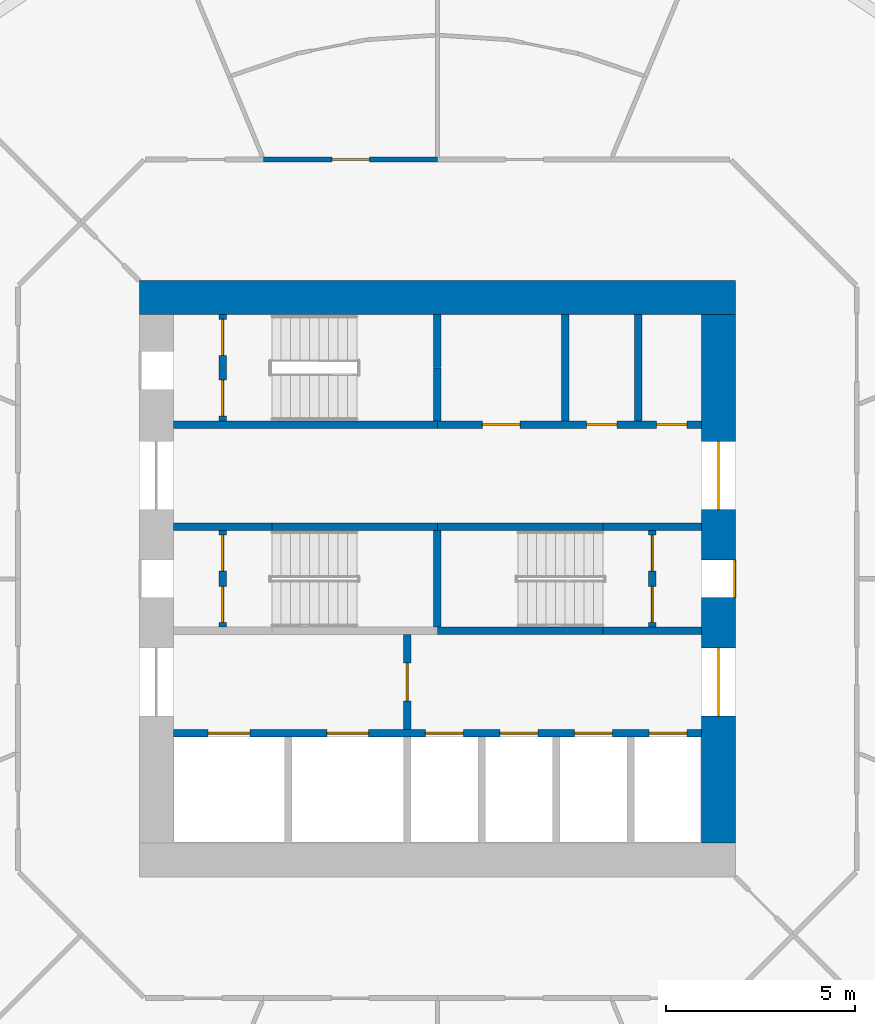
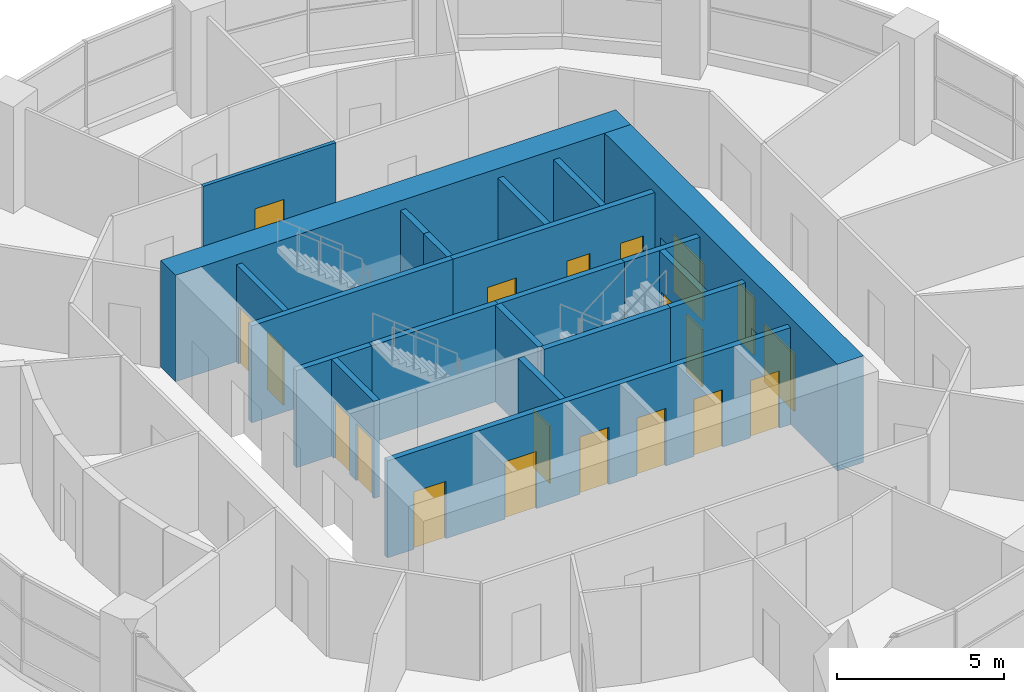
# One storey, part 9 of 15: 21 walls, 20 doors, 20 openings.
"""IFC4 building model written with IfcOpenShell, lengths in metres."""

from ifc_helpers import new_model, si_unit, direction, frame, frame_2d, origin, place, context, subcontext, project, spatial, rectangle, extrude, material, layer, layer_set, type_object, element, fill, save


model = new_model("IFC4")

# Units and contexts
model_context = context("Model", 3, precision=1e-05, world=origin(), true_north=direction((0.0, 1.0)))
body_context = subcontext(model_context, "Body", "Model", "MODEL_VIEW")
ifc_project = project(units=[si_unit("LENGTHUNIT", "METRE"), si_unit("AREAUNIT", "SQUARE_METRE"), si_unit("VOLUMEUNIT", "CUBIC_METRE"), si_unit("PLANEANGLEUNIT", "RADIAN"), si_unit("MASSUNIT", "GRAM", prefix="KILO")], contexts=[model_context])

# Site, building, storey
site_placement = place(None, origin())
site = spatial("IfcSite", under=ifc_project, at=site_placement, CompositionType="ELEMENT")
building_placement = place(site_placement, origin())
building = spatial("IfcBuilding", under=site, at=building_placement, Name="Polderwave Tower", CompositionType="ELEMENT")
storey_placement = place(building_placement, frame((0.0, 0.0, 18.5)))
storey = spatial("IfcBuildingStorey", under=building, at=storey_placement, Name="L04", CompositionType="ELEMENT", Elevation=18.5)

# Wall
ifc_material_1 = material(Name="Concrete C80/95", Category="concrete")
ifc_layer_1 = layer(ifc_material_1, 0.89990234375)
ifc_layer_set_1 = layer_set([ifc_layer_1], Name="CORE WALL 900 C80/95")
wall_type_1 = type_object("IfcWallType", Name="CORE WALL 900 C80/95", PredefinedType="SHEAR", material=ifc_layer_set_1)
wall_1_placement = place(storey_placement, frame((-7.8740234375, 7.424072265625, 0.0), z_axis=(0.0, 0.0, 1.0), x_axis=(1.0, 0.0, 0.0)))
element("IfcWall", 1, at=wall_1_placement, inside=storey, type_object=wall_type_1, Name="ST-CORE-L04-N", PredefinedType="SHEAR", context=body_context, shape_type="SweptSolid", body=[
    extrude(rectangle(XDim=15.748046875, YDim=0.89990234375, at=frame_2d((7.8740234375, 0.0))), origin(), (0.0, 0.0, 1.0), 3.89990234375),
])

# Wall, openings, doors
wall_2_placement = place(storey_placement, frame((7.424072265625, -6.97412109375, 0.0), z_axis=(0.0, 0.0, 1.0), x_axis=(0.0, 1.0, 0.0)))
wall_2 = element("IfcWall", 2, at=wall_2_placement, inside=storey, type_object=wall_type_1, Name="ST-CORE-L04-E", PredefinedType="SHEAR", context=body_context, shape_type="SweptSolid", body=[
    extrude(rectangle(XDim=13.9482421875, YDim=0.89990234375, at=frame_2d((6.97412109375, 0.0))), origin(), (0.0, 0.0, 1.0), 3.89990234375),
])
opening_1_placement = place(wall_2_placement, frame((6.47412109375, 0.0, 0.0)))
opening_1 = element("IfcOpeningElement", 3, at=opening_1_placement, cuts=wall_2, Name="Opening L04-D21", PredefinedType="OPENING", context=body_context, shape_type="SweptSolid", body=[
    extrude(rectangle(XDim=1.0, YDim=2.10009765625, at=frame_2d((0.5, 1.050048828125))), frame((0.0, 0.4599609375, 0.0), z_axis=(0.0, -1.0, 0.0), x_axis=(1.0, 0.0, 0.0)), (0.0, 0.0, 1.0), 0.919921875),
])
opening_2_placement = place(wall_2_placement, frame((3.349609375, 0.0, 0.0)))
opening_2 = element("IfcOpeningElement", 4, at=opening_2_placement, cuts=wall_2, Name="Opening L04-D22", PredefinedType="OPENING", context=body_context, shape_type="SweptSolid", body=[
    extrude(rectangle(XDim=1.800048828125, YDim=2.10009765625, at=frame_2d((0.89990234375, 1.050048828125))), frame((0.0, 0.4599609375, 0.0), z_axis=(0.0, -1.0, 0.0), x_axis=(1.0, 0.0, 0.0)), (0.0, 0.0, 1.0), 0.919921875),
])
opening_3_placement = place(wall_2_placement, frame((8.798583984375, 0.0, 0.0)))
opening_3 = element("IfcOpeningElement", 5, at=opening_3_placement, cuts=wall_2, Name="Opening L04-D23", PredefinedType="OPENING", context=body_context, shape_type="SweptSolid", body=[
    extrude(rectangle(XDim=1.800048828125, YDim=2.10009765625, at=frame_2d((0.89990234375, 1.050048828125))), frame((0.0, 0.4599609375, 0.0), z_axis=(0.0, -1.0, 0.0), x_axis=(1.0, 0.0, 0.0)), (0.0, 0.0, 1.0), 0.919921875),
])
ifc_material_2 = material(Name="Steel fire door", Category="steel")
door_type_1 = type_object("IfcDoorType", Name="Lobby entry door pair 1800", OperationType="DOUBLE_DOOR_SINGLE_SWING", PredefinedType="DOOR", material=ifc_material_2)
door_1_placement = place(opening_2_placement, frame((1.800048828125, 0.0, 0.0), z_axis=(0.0, 0.0, 1.0), x_axis=(-1.0, 0.0, 0.0)))
door_1 = element("IfcDoor", 6, at=door_1_placement, inside=storey, type_object=door_type_1, Name="South lobby entry door", OperationType="DOUBLE_DOOR_SINGLE_SWING", OverallHeight=2.10009765625, OverallWidth=1.800048828125, PredefinedType="DOOR", context=body_context, shape_type="SweptSolid", body=[
    extrude(rectangle(XDim=1.800048828125, YDim=2.10009765625, at=frame_2d((0.89990234375, 1.050048828125))), frame((0.0, 0.02490234375, 0.0), z_axis=(0.0, -1.0, 0.0), x_axis=(1.0, 0.0, 0.0)), (0.0, 0.0, 1.0), 0.050048828125),
])
fill(opening_2, door_1)
door_2_placement = place(opening_3_placement, frame((1.800048828125, 0.0, 0.0), z_axis=(0.0, 0.0, 1.0), x_axis=(-1.0, 0.0, 0.0)))
door_2 = element("IfcDoor", 7, at=door_2_placement, inside=storey, type_object=door_type_1, Name="North lobby entry door", OperationType="DOUBLE_DOOR_SINGLE_SWING", OverallHeight=2.10009765625, OverallWidth=1.800048828125, PredefinedType="DOOR", context=body_context, shape_type="SweptSolid", body=[
    extrude(rectangle(XDim=1.800048828125, YDim=2.10009765625, at=frame_2d((0.89990234375, 1.050048828125))), frame((0.0, 0.02490234375, 0.0), z_axis=(0.0, -1.0, 0.0), x_axis=(1.0, 0.0, 0.0)), (0.0, 0.0, 1.0), 0.050048828125),
])
fill(opening_3, door_2)
door_type_2 = type_object("IfcDoorType", Name="Stair door 1000", OperationType="NOTDEFINED", PredefinedType="DOOR", material=ifc_material_2)
door_3_placement = place(opening_1_placement, frame((1.0, 0.0, 0.0), z_axis=(0.0, 0.0, 1.0), x_axis=(-1.0, 0.0, 0.0)))
door_3 = element("IfcDoor", 8, at=door_3_placement, inside=storey, type_object=door_type_2, Name="Stair B entry door", OperationType="SINGLE_SWING_LEFT", OverallHeight=2.10009765625, OverallWidth=1.0, PredefinedType="DOOR", context=body_context, shape_type="SweptSolid", body=[
    extrude(rectangle(XDim=1.0, YDim=2.10009765625, at=frame_2d((0.5, 1.050048828125))), frame((0.0, 0.4501953125, 0.0), z_axis=(0.0, -1.0, 0.0), x_axis=(1.0, 0.0, 0.0)), (0.0, 0.0, 1.0), 0.050048828125),
])
fill(opening_1, door_3)

# Wall, opening, door
ifc_material_3 = material(Name="Gypsum board partition")
ifc_layer_2 = layer(ifc_material_3, 0.199951171875)
ifc_layer_set_2 = layer_set([ifc_layer_2], Name="Core room partition 200")
wall_type_2 = type_object("IfcWallType", Name="Core room partition 200", PredefinedType="PARTITIONING", material=ifc_layer_set_2)
wall_3_placement = place(storey_placement, frame((-0.800048828125, -3.97412109375, 0.0), z_axis=(0.0, 0.0, 1.0), x_axis=(0.0, 1.0, 0.0)))
wall_3 = element("IfcWall", 9, at=wall_3_placement, inside=storey, type_object=wall_type_2, Name="L04 fire-fighting lobby wall", PredefinedType="PARTITIONING", context=body_context, shape_type="SweptSolid", body=[
    extrude(rectangle(XDim=2.4990234375, YDim=0.199951171875, at=frame_2d((1.24951171875, 0.0))), origin(), (0.0, 0.0, 1.0), 3.550048828125),
])
opening_4_placement = place(wall_3_placement, frame((0.74951171875, 0.0, 0.0)))
opening_4 = element("IfcOpeningElement", 10, at=opening_4_placement, cuts=wall_3, Name="Opening L04-D13", PredefinedType="OPENING", context=body_context, shape_type="SweptSolid", body=[
    extrude(rectangle(XDim=1.0, YDim=2.10009765625, at=frame_2d((0.5, 1.050048828125))), frame((0.0, 0.10986328125, 0.0), z_axis=(0.0, -1.0, 0.0), x_axis=(1.0, 0.0, 0.0)), (0.0, 0.0, 1.0), 0.219970703125),
])
door_type_3 = type_object("IfcDoorType", Name="Lobby fire door 1000", OperationType="NOTDEFINED", PredefinedType="DOOR", material=ifc_material_2)
door_4_placement = place(opening_4_placement, frame((1.0, 0.0, 0.0), z_axis=(0.0, 0.0, 1.0), x_axis=(-1.0, 0.0, 0.0)))
door_4 = element("IfcDoor", 11, at=door_4_placement, inside=storey, type_object=door_type_3, Name="Fire-fighting lobby door", OperationType="SINGLE_SWING_LEFT", OverallHeight=2.10009765625, OverallWidth=1.0, PredefinedType="DOOR", context=body_context, shape_type="SweptSolid", body=[
    extrude(rectangle(XDim=1.0, YDim=2.10009765625, at=frame_2d((0.5, 1.050048828125))), frame((0.0, 0.02490234375, 0.0), z_axis=(0.0, -1.0, 0.0), x_axis=(1.0, 0.0, 0.0)), (0.0, 0.0, 1.0), 0.050048828125),
])
fill(opening_4, door_4)

# Wall
wall_4_placement = place(storey_placement, frame((3.3740234375, 4.174072265625, 0.0), z_axis=(0.0, 0.0, 1.0), x_axis=(0.0, 1.0, 0.0)))
element("IfcWall", 12, at=wall_4_placement, inside=storey, type_object=wall_type_2, Name="L04 room partition N1", PredefinedType="PARTITIONING", context=body_context, shape_type="SweptSolid", body=[
    extrude(rectangle(XDim=2.800048828125, YDim=0.199951171875, at=frame_2d((1.39990234375, 0.0))), origin(), (0.0, 0.0, 1.0), 3.550048828125),
])

# Wall, openings, doors
wall_5_placement = place(storey_placement, frame((-5.674072265625, -1.27490234375, 0.0), z_axis=(0.0, 0.0, 1.0), x_axis=(0.0, 1.0, 0.0)))
wall_5 = element("IfcWall", 13, at=wall_5_placement, inside=storey, type_object=wall_type_2, Name="L04 smoke lobby wall A", PredefinedType="PARTITIONING", context=body_context, shape_type="SweptSolid", body=[
    extrude(rectangle(XDim=2.5498046875, YDim=0.199951171875, at=frame_2d((1.27490234375, 0.0))), origin(), (0.0, 0.0, 1.0), 3.550048828125),
])
opening_5_placement = place(wall_5_placement, frame((0.125, 0.0, 0.0)))
opening_5 = element("IfcOpeningElement", 14, at=opening_5_placement, cuts=wall_5, Name="Opening L04-D07", PredefinedType="OPENING", context=body_context, shape_type="SweptSolid", body=[
    extrude(rectangle(XDim=0.949951171875, YDim=2.10009765625, at=frame_2d((0.47509765625, 1.050048828125))), frame((0.0, 0.10986328125, 0.0), z_axis=(0.0, -1.0, 0.0), x_axis=(1.0, 0.0, 0.0)), (0.0, 0.0, 1.0), 0.219970703125),
])
opening_6_placement = place(wall_5_placement, frame((1.47509765625, 0.0, 0.0)))
opening_6 = element("IfcOpeningElement", 15, at=opening_6_placement, cuts=wall_5, Name="Opening L04-D08", PredefinedType="OPENING", context=body_context, shape_type="SweptSolid", body=[
    extrude(rectangle(XDim=0.949951171875, YDim=2.10009765625, at=frame_2d((0.47509765625, 1.050048828125))), frame((0.0, 0.10986328125, 0.0), z_axis=(0.0, -1.0, 0.0), x_axis=(1.0, 0.0, 0.0)), (0.0, 0.0, 1.0), 0.219970703125),
])
door_type_4 = type_object("IfcDoorType", Name="Smoke lobby door 950", OperationType="NOTDEFINED", PredefinedType="DOOR", material=ifc_material_2)
door_5_placement = place(opening_5_placement, origin())
door_5 = element("IfcDoor", 16, at=door_5_placement, inside=storey, type_object=door_type_4, Name="Stair A smoke lobby inner door", OperationType="SINGLE_SWING_LEFT", OverallHeight=2.10009765625, OverallWidth=0.949951171875, PredefinedType="DOOR", context=body_context, shape_type="SweptSolid", body=[
    extrude(rectangle(XDim=0.949951171875, YDim=2.10009765625, at=frame_2d((0.47509765625, 1.050048828125))), frame((0.0, 0.02490234375, 0.0), z_axis=(0.0, -1.0, 0.0), x_axis=(1.0, 0.0, 0.0)), (0.0, 0.0, 1.0), 0.050048828125),
])
fill(opening_5, door_5)
door_6_placement = place(opening_6_placement, origin())
door_6 = element("IfcDoor", 17, at=door_6_placement, inside=storey, type_object=door_type_4, Name="Stair A smoke lobby inner door", OperationType="SINGLE_SWING_RIGHT", OverallHeight=2.10009765625, OverallWidth=0.949951171875, PredefinedType="DOOR", context=body_context, shape_type="SweptSolid", body=[
    extrude(rectangle(XDim=0.949951171875, YDim=2.10009765625, at=frame_2d((0.47509765625, 1.050048828125))), frame((0.0, 0.02490234375, 0.0), z_axis=(0.0, -1.0, 0.0), x_axis=(1.0, 0.0, 0.0)), (0.0, 0.0, 1.0), 0.050048828125),
])
fill(opening_6, door_6)

wall_6_placement = place(storey_placement, frame((5.674072265625, -1.27490234375, 0.0), z_axis=(0.0, 0.0, 1.0), x_axis=(0.0, 1.0, 0.0)))
wall_6 = element("IfcWall", 18, at=wall_6_placement, inside=storey, type_object=wall_type_2, Name="L04 smoke lobby wall B", PredefinedType="PARTITIONING", context=body_context, shape_type="SweptSolid", body=[
    extrude(rectangle(XDim=2.5498046875, YDim=0.199951171875, at=frame_2d((1.27490234375, 0.0))), origin(), (0.0, 0.0, 1.0), 3.550048828125),
])
opening_7_placement = place(wall_6_placement, frame((0.125, 0.0, 0.0)))
opening_7 = element("IfcOpeningElement", 19, at=opening_7_placement, cuts=wall_6, Name="Opening L04-D09", PredefinedType="OPENING", context=body_context, shape_type="SweptSolid", body=[
    extrude(rectangle(XDim=0.949951171875, YDim=2.10009765625, at=frame_2d((0.47509765625, 1.050048828125))), frame((0.0, 0.10986328125, 0.0), z_axis=(0.0, -1.0, 0.0), x_axis=(1.0, 0.0, 0.0)), (0.0, 0.0, 1.0), 0.219970703125),
])
opening_8_placement = place(wall_6_placement, frame((1.47509765625, 0.0, 0.0)))
opening_8 = element("IfcOpeningElement", 20, at=opening_8_placement, cuts=wall_6, Name="Opening L04-D10", PredefinedType="OPENING", context=body_context, shape_type="SweptSolid", body=[
    extrude(rectangle(XDim=0.949951171875, YDim=2.10009765625, at=frame_2d((0.47509765625, 1.050048828125))), frame((0.0, 0.10986328125, 0.0), z_axis=(0.0, -1.0, 0.0), x_axis=(1.0, 0.0, 0.0)), (0.0, 0.0, 1.0), 0.219970703125),
])
door_7_placement = place(opening_7_placement, frame((0.949951171875, 0.0, 0.0), z_axis=(0.0, 0.0, 1.0), x_axis=(-1.0, 0.0, 0.0)))
door_7 = element("IfcDoor", 21, at=door_7_placement, inside=storey, type_object=door_type_4, Name="Stair B smoke lobby inner door", OperationType="SINGLE_SWING_RIGHT", OverallHeight=2.10009765625, OverallWidth=0.949951171875, PredefinedType="DOOR", context=body_context, shape_type="SweptSolid", body=[
    extrude(rectangle(XDim=0.949951171875, YDim=2.10009765625, at=frame_2d((0.47509765625, 1.050048828125))), frame((0.0, 0.02490234375, 0.0), z_axis=(0.0, -1.0, 0.0), x_axis=(1.0, 0.0, 0.0)), (0.0, 0.0, 1.0), 0.050048828125),
])
fill(opening_7, door_7)
door_8_placement = place(opening_8_placement, frame((0.949951171875, 0.0, 0.0), z_axis=(0.0, 0.0, 1.0), x_axis=(-1.0, 0.0, 0.0)))
door_8 = element("IfcDoor", 22, at=door_8_placement, inside=storey, type_object=door_type_4, Name="Stair B smoke lobby inner door", OperationType="SINGLE_SWING_LEFT", OverallHeight=2.10009765625, OverallWidth=0.949951171875, PredefinedType="DOOR", context=body_context, shape_type="SweptSolid", body=[
    extrude(rectangle(XDim=0.949951171875, YDim=2.10009765625, at=frame_2d((0.47509765625, 1.050048828125))), frame((0.0, 0.02490234375, 0.0), z_axis=(0.0, -1.0, 0.0), x_axis=(1.0, 0.0, 0.0)), (0.0, 0.0, 1.0), 0.050048828125),
])
fill(opening_8, door_8)

wall_7_placement = place(storey_placement, frame((-5.674072265625, 4.174072265625, 0.0), z_axis=(0.0, 0.0, 1.0), x_axis=(0.0, 1.0, 0.0)))
wall_7 = element("IfcWall", 23, at=wall_7_placement, inside=storey, type_object=wall_type_2, Name="L04 smoke lobby wall C", PredefinedType="PARTITIONING", context=body_context, shape_type="SweptSolid", body=[
    extrude(rectangle(XDim=2.800048828125, YDim=0.199951171875, at=frame_2d((1.39990234375, 0.0))), origin(), (0.0, 0.0, 1.0), 3.550048828125),
])
opening_9_placement = place(wall_7_placement, frame((0.125, 0.0, 0.0)))
opening_9 = element("IfcOpeningElement", 24, at=opening_9_placement, cuts=wall_7, Name="Opening L04-D11", PredefinedType="OPENING", context=body_context, shape_type="SweptSolid", body=[
    extrude(rectangle(XDim=0.949951171875, YDim=2.10009765625, at=frame_2d((0.47509765625, 1.050048828125))), frame((0.0, 0.10986328125, 0.0), z_axis=(0.0, -1.0, 0.0), x_axis=(1.0, 0.0, 0.0)), (0.0, 0.0, 1.0), 0.219970703125),
])
opening_10_placement = place(wall_7_placement, frame((1.72509765625, 0.0, 0.0)))
opening_10 = element("IfcOpeningElement", 25, at=opening_10_placement, cuts=wall_7, Name="Opening L04-D12", PredefinedType="OPENING", context=body_context, shape_type="SweptSolid", body=[
    extrude(rectangle(XDim=0.949951171875, YDim=2.10009765625, at=frame_2d((0.47509765625, 1.050048828125))), frame((0.0, 0.10986328125, 0.0), z_axis=(0.0, -1.0, 0.0), x_axis=(1.0, 0.0, 0.0)), (0.0, 0.0, 1.0), 0.219970703125),
])
door_9_placement = place(opening_9_placement, origin())
door_9 = element("IfcDoor", 26, at=door_9_placement, inside=storey, type_object=door_type_4, Name="Stair C smoke lobby inner door", OperationType="SINGLE_SWING_LEFT", OverallHeight=2.10009765625, OverallWidth=0.949951171875, PredefinedType="DOOR", context=body_context, shape_type="SweptSolid", body=[
    extrude(rectangle(XDim=0.949951171875, YDim=2.10009765625, at=frame_2d((0.47509765625, 1.050048828125))), frame((0.0, 0.02490234375, 0.0), z_axis=(0.0, -1.0, 0.0), x_axis=(1.0, 0.0, 0.0)), (0.0, 0.0, 1.0), 0.050048828125),
])
fill(opening_9, door_9)
door_10_placement = place(opening_10_placement, origin())
door_10 = element("IfcDoor", 27, at=door_10_placement, inside=storey, type_object=door_type_4, Name="Stair C smoke lobby inner door", OperationType="SINGLE_SWING_RIGHT", OverallHeight=2.10009765625, OverallWidth=0.949951171875, PredefinedType="DOOR", context=body_context, shape_type="SweptSolid", body=[
    extrude(rectangle(XDim=0.949951171875, YDim=2.10009765625, at=frame_2d((0.47509765625, 1.050048828125))), frame((0.0, 0.02490234375, 0.0), z_axis=(0.0, -1.0, 0.0), x_axis=(1.0, 0.0, 0.0)), (0.0, 0.0, 1.0), 0.050048828125),
])
fill(opening_10, door_10)

ifc_material_4 = material(Name="Concrete C50/60", Category="concrete")
ifc_layer_3 = layer(ifc_material_4, 0.199951171875)
ifc_layer_set_3 = layer_set([ifc_layer_3], Name="Core web wall 200")
wall_type_3 = type_object("IfcWallType", Name="Core web wall 200", PredefinedType="SHEAR", material=ifc_layer_set_3)
wall_8_placement = place(storey_placement, frame((-6.97412109375, -4.073974609375, 0.0), z_axis=(0.0, 0.0, 1.0), x_axis=(1.0, 0.0, 0.0)))
wall_8 = element("IfcWall", 28, at=wall_8_placement, inside=storey, type_object=wall_type_3, Name="L04 south front wall", PredefinedType="SHEAR", context=body_context, shape_type="SweptSolid", body=[
    extrude(rectangle(XDim=13.9482421875, YDim=0.199951171875, at=frame_2d((6.97412109375, 0.0))), origin(), (0.0, 0.0, 1.0), 3.550048828125),
])
opening_11_placement = place(wall_8_placement, frame((0.91845703125, 0.0, 0.0)))
opening_11 = element("IfcOpeningElement", 29, at=opening_11_placement, cuts=wall_8, Name="Opening L04-D01", PredefinedType="OPENING", context=body_context, shape_type="SweptSolid", body=[
    extrude(rectangle(XDim=1.10009765625, YDim=2.10009765625, at=frame_2d((0.550048828125, 1.050048828125))), frame((0.0, 0.10986328125, 0.0), z_axis=(0.0, -1.0, 0.0), x_axis=(1.0, 0.0, 0.0)), (0.0, 0.0, 1.0), 0.219970703125),
])
opening_12_placement = place(wall_8_placement, frame((4.055419921875, 0.0, 0.0)))
opening_12 = element("IfcOpeningElement", 30, at=opening_12_placement, cuts=wall_8, Name="Opening L04-D02", PredefinedType="OPENING", context=body_context, shape_type="SweptSolid", body=[
    extrude(rectangle(XDim=1.10009765625, YDim=2.10009765625, at=frame_2d((0.550048828125, 1.050048828125))), frame((0.0, 0.10986328125, 0.0), z_axis=(0.0, -1.0, 0.0), x_axis=(1.0, 0.0, 0.0)), (0.0, 0.0, 1.0), 0.219970703125),
])
opening_13_placement = place(wall_8_placement, frame((6.658203125, 0.0, 0.0)))
opening_13 = element("IfcOpeningElement", 31, at=opening_13_placement, cuts=wall_8, Name="Opening L04-D03", PredefinedType="OPENING", context=body_context, shape_type="SweptSolid", body=[
    extrude(rectangle(XDim=1.0, YDim=2.10009765625, at=frame_2d((0.5, 1.050048828125))), frame((0.0, 0.10986328125, 0.0), z_axis=(0.0, -1.0, 0.0), x_axis=(1.0, 0.0, 0.0)), (0.0, 0.0, 1.0), 0.219970703125),
])
opening_14_placement = place(wall_8_placement, frame((8.626708984375, 0.0, 0.0)))
opening_14 = element("IfcOpeningElement", 32, at=opening_14_placement, cuts=wall_8, Name="Opening L04-D04", PredefinedType="OPENING", context=body_context, shape_type="SweptSolid", body=[
    extrude(rectangle(XDim=1.0, YDim=2.10009765625, at=frame_2d((0.5, 1.050048828125))), frame((0.0, 0.10986328125, 0.0), z_axis=(0.0, -1.0, 0.0), x_axis=(1.0, 0.0, 0.0)), (0.0, 0.0, 1.0), 0.219970703125),
])
opening_15_placement = place(wall_8_placement, frame((10.59521484375, 0.0, 0.0)))
opening_15 = element("IfcOpeningElement", 33, at=opening_15_placement, cuts=wall_8, Name="Opening L04-D05", PredefinedType="OPENING", context=body_context, shape_type="SweptSolid", body=[
    extrude(rectangle(XDim=1.0, YDim=2.10009765625, at=frame_2d((0.5, 1.050048828125))), frame((0.0, 0.10986328125, 0.0), z_axis=(0.0, -1.0, 0.0), x_axis=(1.0, 0.0, 0.0)), (0.0, 0.0, 1.0), 0.219970703125),
])
opening_16_placement = place(wall_8_placement, frame((12.563720703125, 0.0, 0.0)))
opening_16 = element("IfcOpeningElement", 34, at=opening_16_placement, cuts=wall_8, Name="Opening L04-D06", PredefinedType="OPENING", context=body_context, shape_type="SweptSolid", body=[
    extrude(rectangle(XDim=1.0, YDim=2.10009765625, at=frame_2d((0.5, 1.050048828125))), frame((0.0, 0.10986328125, 0.0), z_axis=(0.0, -1.0, 0.0), x_axis=(1.0, 0.0, 0.0)), (0.0, 0.0, 1.0), 0.219970703125),
])
ifc_material_5 = material(Name="Stainless steel", Category="steel")
door_type_5 = type_object("IfcDoorType", Name="Fire-fighting lift landing door 1100", OperationType="DOUBLE_DOOR_SLIDING", PredefinedType="DOOR", material=ifc_material_5)
door_11_placement = place(opening_11_placement, origin())
door_11 = element("IfcDoor", 35, at=door_11_placement, inside=storey, type_object=door_type_5, Name="Fire-fighting lift FF1 landing door", OperationType="DOUBLE_DOOR_SLIDING", OverallHeight=2.10009765625, OverallWidth=1.10009765625, PredefinedType="DOOR", context=body_context, shape_type="SweptSolid", body=[
    extrude(rectangle(XDim=1.10009765625, YDim=2.10009765625, at=frame_2d((0.550048828125, 1.050048828125))), frame((0.0, 0.02490234375, 0.0), z_axis=(0.0, -1.0, 0.0), x_axis=(1.0, 0.0, 0.0)), (0.0, 0.0, 1.0), 0.050048828125),
])
fill(opening_11, door_11)
door_12_placement = place(opening_12_placement, origin())
door_12 = element("IfcDoor", 36, at=door_12_placement, inside=storey, type_object=door_type_5, Name="Fire-fighting lift FF2 landing door", OperationType="DOUBLE_DOOR_SLIDING", OverallHeight=2.10009765625, OverallWidth=1.10009765625, PredefinedType="DOOR", context=body_context, shape_type="SweptSolid", body=[
    extrude(rectangle(XDim=1.10009765625, YDim=2.10009765625, at=frame_2d((0.550048828125, 1.050048828125))), frame((0.0, 0.02490234375, 0.0), z_axis=(0.0, -1.0, 0.0), x_axis=(1.0, 0.0, 0.0)), (0.0, 0.0, 1.0), 0.050048828125),
])
fill(opening_12, door_12)
door_type_6 = type_object("IfcDoorType", Name="Lift landing door 1000", OperationType="DOUBLE_DOOR_SLIDING", PredefinedType="DOOR", material=ifc_material_5)
door_13_placement = place(opening_13_placement, origin())
door_13 = element("IfcDoor", 37, at=door_13_placement, inside=storey, type_object=door_type_6, Name="Lift LL1 landing door", OperationType="DOUBLE_DOOR_SLIDING", OverallHeight=2.10009765625, OverallWidth=1.0, PredefinedType="DOOR", context=body_context, shape_type="SweptSolid", body=[
    extrude(rectangle(XDim=1.0, YDim=2.10009765625, at=frame_2d((0.5, 1.050048828125))), frame((0.0, 0.02490234375, 0.0), z_axis=(0.0, -1.0, 0.0), x_axis=(1.0, 0.0, 0.0)), (0.0, 0.0, 1.0), 0.050048828125),
])
fill(opening_13, door_13)
door_14_placement = place(opening_14_placement, origin())
door_14 = element("IfcDoor", 38, at=door_14_placement, inside=storey, type_object=door_type_6, Name="Lift LL2 landing door", OperationType="DOUBLE_DOOR_SLIDING", OverallHeight=2.10009765625, OverallWidth=1.0, PredefinedType="DOOR", context=body_context, shape_type="SweptSolid", body=[
    extrude(rectangle(XDim=1.0, YDim=2.10009765625, at=frame_2d((0.5, 1.050048828125))), frame((0.0, 0.02490234375, 0.0), z_axis=(0.0, -1.0, 0.0), x_axis=(1.0, 0.0, 0.0)), (0.0, 0.0, 1.0), 0.050048828125),
])
fill(opening_14, door_14)
door_15_placement = place(opening_15_placement, origin())
door_15 = element("IfcDoor", 39, at=door_15_placement, inside=storey, type_object=door_type_6, Name="Lift LL3 landing door", OperationType="DOUBLE_DOOR_SLIDING", OverallHeight=2.10009765625, OverallWidth=1.0, PredefinedType="DOOR", context=body_context, shape_type="SweptSolid", body=[
    extrude(rectangle(XDim=1.0, YDim=2.10009765625, at=frame_2d((0.5, 1.050048828125))), frame((0.0, 0.02490234375, 0.0), z_axis=(0.0, -1.0, 0.0), x_axis=(1.0, 0.0, 0.0)), (0.0, 0.0, 1.0), 0.050048828125),
])
fill(opening_15, door_15)
door_16_placement = place(opening_16_placement, origin())
door_16 = element("IfcDoor", 40, at=door_16_placement, inside=storey, type_object=door_type_6, Name="Lift LL4 landing door", OperationType="DOUBLE_DOOR_SLIDING", OverallHeight=2.10009765625, OverallWidth=1.0, PredefinedType="DOOR", context=body_context, shape_type="SweptSolid", body=[
    extrude(rectangle(XDim=1.0, YDim=2.10009765625, at=frame_2d((0.5, 1.050048828125))), frame((0.0, 0.02490234375, 0.0), z_axis=(0.0, -1.0, 0.0), x_axis=(1.0, 0.0, 0.0)), (0.0, 0.0, 1.0), 0.050048828125),
])
fill(opening_16, door_16)

# Wall
wall_9_placement = place(storey_placement, frame((-6.97412109375, 4.073974609375, 0.0), z_axis=(0.0, 0.0, 1.0), x_axis=(1.0, 0.0, 0.0)))
element("IfcWall", 41, at=wall_9_placement, inside=storey, type_object=wall_type_3, Name="L04 north front wall 1", PredefinedType="SHEAR", context=body_context, shape_type="SweptSolid", body=[
    extrude(rectangle(XDim=6.97412109375, YDim=0.199951171875, at=frame_2d((3.487060546875, 0.0))), origin(), (0.0, 0.0, 1.0), 3.550048828125),
])

# Wall, openings, doors
wall_10_placement = place(storey_placement, frame((0.0, 4.073974609375, 0.0), z_axis=(0.0, 0.0, 1.0), x_axis=(1.0, 0.0, 0.0)))
wall_10 = element("IfcWall", 42, at=wall_10_placement, inside=storey, type_object=wall_type_3, Name="L04 north front wall 2", PredefinedType="SHEAR", context=body_context, shape_type="SweptSolid", body=[
    extrude(rectangle(XDim=6.97412109375, YDim=0.199951171875, at=frame_2d((3.487060546875, 0.0))), origin(), (0.0, 0.0, 1.0), 3.550048828125),
])
opening_17_placement = place(wall_10_placement, frame((1.18701171875, 0.0, 0.0)))
opening_17 = element("IfcOpeningElement", 43, at=opening_17_placement, cuts=wall_10, Name="Opening L04-D14", PredefinedType="OPENING", context=body_context, shape_type="SweptSolid", body=[
    extrude(rectangle(XDim=1.0, YDim=2.10009765625, at=frame_2d((0.5, 1.050048828125))), frame((0.0, 0.10986328125, 0.0), z_axis=(0.0, -1.0, 0.0), x_axis=(1.0, 0.0, 0.0)), (0.0, 0.0, 1.0), 0.219970703125),
])
opening_18_placement = place(wall_10_placement, frame((3.939697265625, 0.0, 0.0)))
opening_18 = element("IfcOpeningElement", 44, at=opening_18_placement, cuts=wall_10, Name="Opening L04-D15", PredefinedType="OPENING", context=body_context, shape_type="SweptSolid", body=[
    extrude(rectangle(XDim=0.800048828125, YDim=2.10009765625, at=frame_2d((0.39990234375, 1.050048828125))), frame((0.0, 0.10986328125, 0.0), z_axis=(0.0, -1.0, 0.0), x_axis=(1.0, 0.0, 0.0)), (0.0, 0.0, 1.0), 0.219970703125),
])
opening_19_placement = place(wall_10_placement, frame((5.789794921875, 0.0, 0.0)))
opening_19 = element("IfcOpeningElement", 45, at=opening_19_placement, cuts=wall_10, Name="Opening L04-D16", PredefinedType="OPENING", context=body_context, shape_type="SweptSolid", body=[
    extrude(rectangle(XDim=0.800048828125, YDim=2.10009765625, at=frame_2d((0.39990234375, 1.050048828125))), frame((0.0, 0.10986328125, 0.0), z_axis=(0.0, -1.0, 0.0), x_axis=(1.0, 0.0, 0.0)), (0.0, 0.0, 1.0), 0.219970703125),
])
door_type_7 = type_object("IfcDoorType", Name="Riser door 800", OperationType="NOTDEFINED", PredefinedType="DOOR", material=ifc_material_2)
door_17_placement = place(opening_18_placement, frame((0.800048828125, 0.0, 0.0), z_axis=(0.0, 0.0, 1.0), x_axis=(-1.0, 0.0, 0.0)))
door_17 = element("IfcDoor", 46, at=door_17_placement, inside=storey, type_object=door_type_7, Name="Switch room door", OperationType="SINGLE_SWING_LEFT", OverallHeight=2.10009765625, OverallWidth=0.800048828125, PredefinedType="DOOR", context=body_context, shape_type="SweptSolid", body=[
    extrude(rectangle(XDim=0.800048828125, YDim=2.10009765625, at=frame_2d((0.39990234375, 1.050048828125))), frame((0.0, 0.02490234375, 0.0), z_axis=(0.0, -1.0, 0.0), x_axis=(1.0, 0.0, 0.0)), (0.0, 0.0, 1.0), 0.050048828125),
])
fill(opening_18, door_17)
door_18_placement = place(opening_19_placement, frame((0.800048828125, 0.0, 0.0), z_axis=(0.0, 0.0, 1.0), x_axis=(-1.0, 0.0, 0.0)))
door_18 = element("IfcDoor", 47, at=door_18_placement, inside=storey, type_object=door_type_7, Name="Riser door", OperationType="SINGLE_SWING_LEFT", OverallHeight=2.10009765625, OverallWidth=0.800048828125, PredefinedType="DOOR", context=body_context, shape_type="SweptSolid", body=[
    extrude(rectangle(XDim=0.800048828125, YDim=2.10009765625, at=frame_2d((0.39990234375, 1.050048828125))), frame((0.0, 0.02490234375, 0.0), z_axis=(0.0, -1.0, 0.0), x_axis=(1.0, 0.0, 0.0)), (0.0, 0.0, 1.0), 0.050048828125),
])
fill(opening_19, door_18)
ifc_material_6 = material(Name="Timber door leaf", Category="wood")
door_type_8 = type_object("IfcDoorType", Name="Room door 1000", OperationType="NOTDEFINED", PredefinedType="DOOR", material=ifc_material_6)
door_19_placement = place(opening_17_placement, frame((1.0, 0.0, 0.0), z_axis=(0.0, 0.0, 1.0), x_axis=(-1.0, 0.0, 0.0)))
door_19 = element("IfcDoor", 48, at=door_19_placement, inside=storey, type_object=door_type_8, Name="Plant room door", OperationType="SINGLE_SWING_RIGHT", OverallHeight=2.10009765625, OverallWidth=1.0, PredefinedType="DOOR", context=body_context, shape_type="SweptSolid", body=[
    extrude(rectangle(XDim=1.0, YDim=2.10009765625, at=frame_2d((0.5, 1.050048828125))), frame((0.0, 0.02490234375, 0.0), z_axis=(0.0, -1.0, 0.0), x_axis=(1.0, 0.0, 0.0)), (0.0, 0.0, 1.0), 0.050048828125),
])
fill(opening_17, door_19)

# Walls
wall_11_placement = place(storey_placement, frame((0.0, -1.375, 0.0), z_axis=(0.0, 0.0, 1.0), x_axis=(1.0, 0.0, 0.0)))
element("IfcWall", 49, at=wall_11_placement, inside=storey, type_object=wall_type_3, Name="L04 south stair wall 3", PredefinedType="SHEAR", context=body_context, shape_type="SweptSolid", body=[
    extrude(rectangle(XDim=4.3740234375, YDim=0.199951171875, at=frame_2d((2.18701171875, 0.0))), origin(), (0.0, 0.0, 1.0), 3.550048828125),
])
for number, where, z_axis, x_axis, name in (
    (50, (4.3740234375, -1.375, 0.0), (0.0, 0.0, 1.0), (1.0, 0.0, 0.0), "L04 south stair wall 4"),
    (51, (-6.97412109375, 1.375, 0.0), (0.0, 0.0, 1.0), (1.0, 0.0, 0.0), "L04 north stair wall 1"),
):
    element("IfcWall", number, at=place(storey_placement, frame(where, z_axis=z_axis, x_axis=x_axis)), inside=storey, type_object=wall_type_3, Name=name, PredefinedType="SHEAR", context=body_context, shape_type="SweptSolid", body=[
        extrude(rectangle(XDim=2.60009765625, YDim=0.199951171875, at=frame_2d((1.300048828125, 0.0))), origin(), (0.0, 0.0, 1.0), 3.550048828125),
    ])
for number, where, z_axis, x_axis, name in (
    (52, (-4.3740234375, 1.375, 0.0), (0.0, 0.0, 1.0), (1.0, 0.0, 0.0), "L04 north stair wall 2"),
    (53, (0.0, 1.375, 0.0), (0.0, 0.0, 1.0), (1.0, 0.0, 0.0), "L04 north stair wall 3"),
):
    element("IfcWall", number, at=place(storey_placement, frame(where, z_axis=z_axis, x_axis=x_axis)), inside=storey, type_object=wall_type_3, Name=name, PredefinedType="SHEAR", context=body_context, shape_type="SweptSolid", body=[
        extrude(rectangle(XDim=4.3740234375, YDim=0.199951171875, at=frame_2d((2.18701171875, 0.0))), origin(), (0.0, 0.0, 1.0), 3.550048828125),
    ])
wall_12_placement = place(storey_placement, frame((4.3740234375, 1.375, 0.0), z_axis=(0.0, 0.0, 1.0), x_axis=(1.0, 0.0, 0.0)))
element("IfcWall", 54, at=wall_12_placement, inside=storey, type_object=wall_type_3, Name="L04 north stair wall 4", PredefinedType="SHEAR", context=body_context, shape_type="SweptSolid", body=[
    extrude(rectangle(XDim=2.60009765625, YDim=0.199951171875, at=frame_2d((1.300048828125, 0.0))), origin(), (0.0, 0.0, 1.0), 3.550048828125),
])
wall_13_placement = place(storey_placement, frame((0.0, -1.27490234375, 0.0), z_axis=(0.0, 0.0, 1.0), x_axis=(0.0, 1.0, 0.0)))
element("IfcWall", 55, at=wall_13_placement, inside=storey, type_object=wall_type_3, Name="L04 wall between the stairs", PredefinedType="SHEAR", context=body_context, shape_type="SweptSolid", body=[
    extrude(rectangle(XDim=2.5498046875, YDim=0.199951171875, at=frame_2d((1.27490234375, 0.0))), origin(), (0.0, 0.0, 1.0), 3.550048828125),
])
wall_14_placement = place(storey_placement, frame((0.0, 4.174072265625, 0.0), z_axis=(0.0, 0.0, 1.0), x_axis=(0.0, 1.0, 0.0)))
element("IfcWall", 56, at=wall_14_placement, inside=storey, type_object=wall_type_3, Name="L04 stair C wall south", PredefinedType="SHEAR", context=body_context, shape_type="SweptSolid", body=[
    extrude(rectangle(XDim=1.39990234375, YDim=0.199951171875, at=frame_2d((0.699951171875, 0.0))), origin(), (0.0, 0.0, 1.0), 3.550048828125),
])
wall_15_placement = place(storey_placement, frame((0.0, 5.573974609375, 0.0), z_axis=(0.0, 0.0, 1.0), x_axis=(0.0, 1.0, 0.0)))
element("IfcWall", 57, at=wall_15_placement, inside=storey, type_object=wall_type_3, Name="L04 stair C wall north", PredefinedType="SHEAR", context=body_context, shape_type="SweptSolid", body=[
    extrude(rectangle(XDim=1.400146484375, YDim=0.199951171875, at=frame_2d((0.7001953125, 0.0))), origin(), (0.0, 0.0, 1.0), 3.550048828125),
])

# Wall, opening, door
ifc_material_7 = material(Name="Fire-resisting board on steel studs", Category="steel")
ifc_layer_4 = layer(ifc_material_7, 0.125)
ifc_layer_set_4 = layer_set([ifc_layer_4], Name="Corridor wall 125 mm EI 60")
wall_type_4 = type_object("IfcWallType", Name="Corridor wall 125 mm EI 60", PredefinedType="PARTITIONING", material=ifc_layer_set_4)
wall_16_placement = place(storey_placement, frame((-4.5869140625, 11.073974609375, 0.0), z_axis=(0.0, 0.0, 1.0), x_axis=(1.0, 0.0, 0.0)))
wall_16 = element("IfcWall", 58, at=wall_16_placement, inside=storey, type_object=wall_type_4, Name="IN-L04-W012", PredefinedType="PARTITIONING", context=body_context, shape_type="SweptSolid", body=[
    extrude(rectangle(XDim=4.5869140625, YDim=0.125, at=frame_2d((2.29345703125, 0.0))), origin(), (0.0, 0.0, 1.0), 3.550048828125),
])
opening_20_placement = place(wall_16_placement, frame((1.800048828125, 0.0, 0.0)))
opening_20 = element("IfcOpeningElement", 59, at=opening_20_placement, cuts=wall_16, Name="Opening L04-D57", PredefinedType="OPENING", context=body_context, shape_type="SweptSolid", body=[
    extrude(rectangle(XDim=1.0, YDim=2.10009765625, at=frame_2d((0.5, 1.050048828125))), frame((0.0, 0.072509765625, 0.0), z_axis=(0.0, -1.0, 0.0), x_axis=(1.0, 0.0, 0.0)), (0.0, 0.0, 1.0), 0.14501953125),
])
ifc_material_8 = material(Name="Timber fire door leaf", Category="wood")
door_type_9 = type_object("IfcDoorType", Name="Fire door FD30S 1000 x 2100", OperationType="NOTDEFINED", PredefinedType="DOOR", material=ifc_material_8)
door_20_placement = place(opening_20_placement, origin())
door_20 = element("IfcDoor", 60, at=door_20_placement, inside=storey, type_object=door_type_9, Name="Door L04-D57", OperationType="SINGLE_SWING_RIGHT", OverallHeight=2.10009765625, OverallWidth=1.0, PredefinedType="DOOR", context=body_context, shape_type="SweptSolid", body=[
    extrude(rectangle(XDim=1.0, YDim=2.10009765625, at=frame_2d((0.5, 1.050048828125))), frame((0.0, 0.02490234375, 0.0), z_axis=(0.0, -1.0, 0.0), x_axis=(1.0, 0.0, 0.0)), (0.0, 0.0, 1.0), 0.050048828125),
])
fill(opening_20, door_20)

# Wall
ifc_material_9 = material(Name="Gypsum shaft wall system")
ifc_layer_5 = layer(ifc_material_9, 0.199951171875)
ifc_layer_set_5 = layer_set([ifc_layer_5], Name="Shaft wall 200")
wall_type_5 = type_object("IfcWallType", Name="Shaft wall 200", PredefinedType="PARTITIONING", material=ifc_layer_set_5)
wall_17_placement = place(storey_placement, frame((5.305419921875, 4.174072265625, 0.0), z_axis=(0.0, 0.0, 1.0), x_axis=(0.0, 1.0, 0.0)))
element("IfcWall", 61, at=wall_17_placement, inside=storey, type_object=wall_type_5, Name="L04 riser wall", PredefinedType="PARTITIONING", context=body_context, shape_type="SweptSolid", body=[
    extrude(rectangle(XDim=2.800048828125, YDim=0.199951171875, at=frame_2d((1.39990234375, 0.0))), origin(), (0.0, 0.0, 1.0), 3.550048828125),
])

save(model, "model.ifc")
